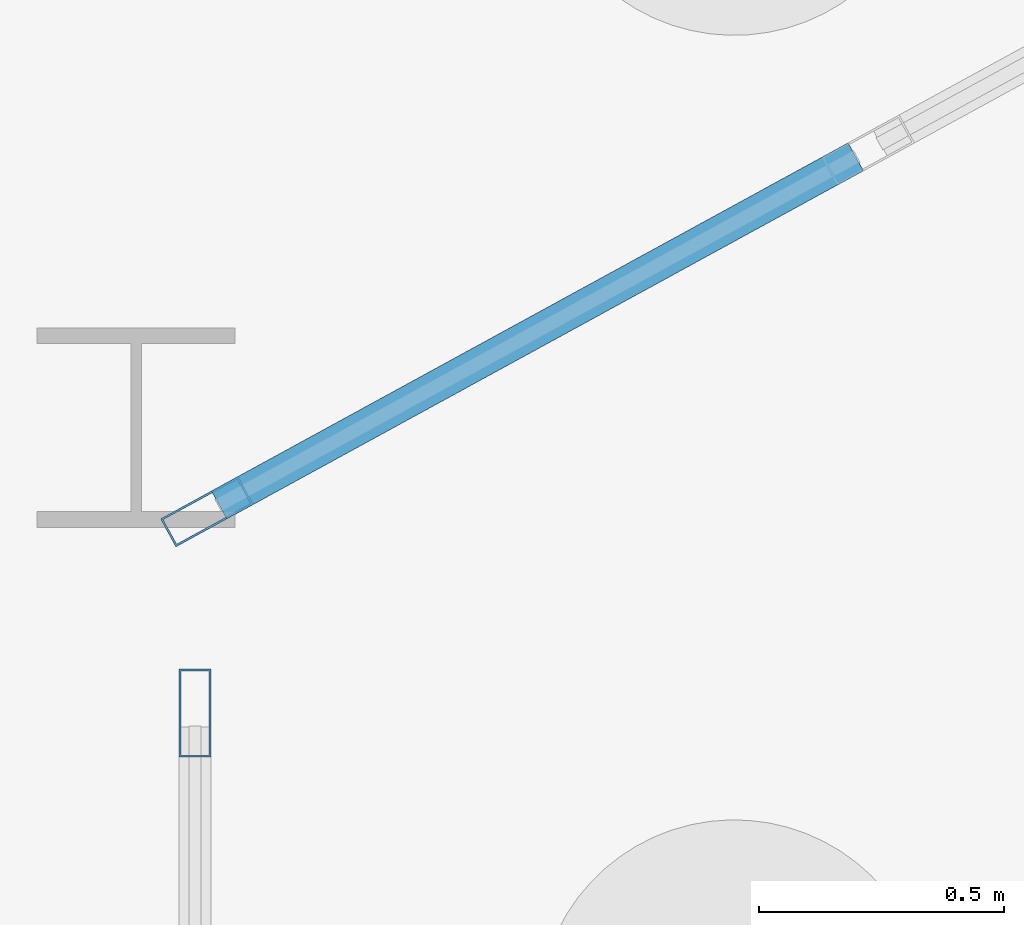
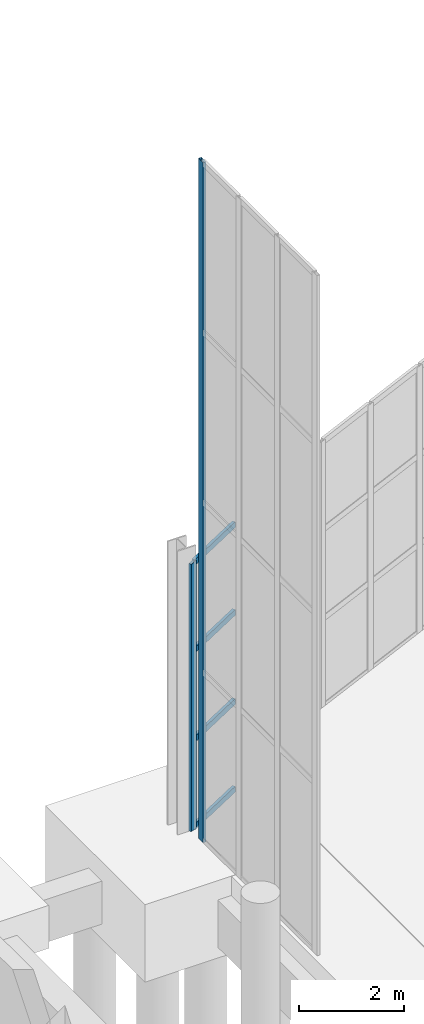
# One storey, part 56 of 115: 6 members, 2 elements without a shape of their own.
"""IFC4 building model written with IfcOpenShell, lengths in metres."""

from ifc_helpers import new_model, si_unit, direction, frame, origin, origin_2d, place, context, subcontext, project, spatial, hollow_rectangle, extrude, material, layer, layer_set, material_profile, profile_set, type_object, element, aggregate, save


model = new_model("IFC4")

# Units and contexts
model_context = context("Model", 3, precision=1e-05, world=origin(), true_north=direction((0.0, 1.0)))
body_context = subcontext(model_context, "Body", "Model", "MODEL_VIEW")
ifc_project = project(units=[si_unit("LENGTHUNIT", "METRE"), si_unit("AREAUNIT", "SQUARE_METRE"), si_unit("VOLUMEUNIT", "CUBIC_METRE"), si_unit("PLANEANGLEUNIT", "RADIAN"), si_unit("MASSUNIT", "GRAM", prefix="KILO")], contexts=[model_context])

# Site, building, storey
site_placement = place(None, origin())
site = spatial("IfcSite", under=ifc_project, at=site_placement, CompositionType="ELEMENT")
building_placement = place(site_placement, origin())
building = spatial("IfcBuilding", under=site, at=building_placement, Name="Tamarisk Ironworks Central Station", CompositionType="ELEMENT")
storey_placement = place(building_placement, origin())
storey = spatial("IfcBuildingStorey", under=building, at=storey_placement, Name="L00", CompositionType="ELEMENT", Elevation=0.0)

# Curtain wall, member
ifc_material = material(Name="Anodized aluminium alloy 6063-T6", Category="aluminium")
ifc_layer_1 = layer(ifc_material, 0.179931640625)
ifc_layer_set_1 = layer_set([ifc_layer_1], Name="Anodized aluminium alloy 6063-T6")
curtain_wall_type_1 = type_object("IfcCurtainWallType", Name="CW-01", PredefinedType="USERDEFINED", material=ifc_layer_set_1)
curtain_wall_1_placement = place(storey_placement, origin())
curtain_wall_1 = element("IfcCurtainWall", 1, at=curtain_wall_1_placement, inside=storey, type_object=curtain_wall_type_1, Name="NN rounded entrance hall L00 curtain wall bay 01", ObjectType="GLAZED CURTAIN WALL", PredefinedType="USERDEFINED")
ifc_material_profile_1 = material_profile(ifc_material, hollow_rectangle(XDim=0.06494140625, YDim=0.179931640625, WallThickness=0.00390625, at=origin_2d()), Name="ALUM 180x65")
ifc_profile_set_1 = profile_set([ifc_material_profile_1], Name="Anodized aluminium alloy 6063-T6")
member_type_1 = type_object("IfcMemberType", Name="CWM-02", PredefinedType="MULLION", material=ifc_profile_set_1)
member_1_placement = place(storey_placement, frame((54.144287109375, 111.428466796875, 0.0), z_axis=(0.0, 0.0, 1.0), x_axis=(-0.47980544644, 0.877374910495, 0.0)))
member_1 = element("IfcMember", 2, at=member_1_placement, type_object=member_type_1, Name="CW01 mullion 1", PredefinedType="MULLION", context=body_context, shape_type="SweptSolid", body=[
    extrude(hollow_rectangle(XDim=0.06494140625, YDim=0.179931640625, WallThickness=0.00390625, at=origin_2d()), origin(), (0.0, 0.0, 1.0), 6.219970703125),
])

ifc_layer_2 = layer(ifc_material, 0.179931640625)
ifc_layer_set_2 = layer_set([ifc_layer_2], Name="Anodized aluminium alloy 6063-T6")
curtain_wall_type_2 = type_object("IfcCurtainWallType", Name="CW-04", PredefinedType="USERDEFINED", material=ifc_layer_set_2)
curtain_wall_2_placement = place(storey_placement, origin())
curtain_wall_2 = element("IfcCurtainWall", 3, at=curtain_wall_2_placement, inside=storey, type_object=curtain_wall_type_2, Name="Concourse W track-overlook curtain wall 09", ObjectType="GLAZED CURTAIN WALL", PredefinedType="USERDEFINED")
member_2_placement = place(storey_placement, frame((54.1201171875, 111.017578125, 0.0), z_axis=(0.0, 0.0, 1.0), x_axis=(-1.0, 0.0, 0.0)))
member_2 = element("IfcMember", 4, at=member_2_placement, type_object=member_type_1, Name="CW04 mullion 4", PredefinedType="MULLION", context=body_context, shape_type="SweptSolid", body=[
    extrude(hollow_rectangle(XDim=0.06494140625, YDim=0.179931640625, WallThickness=0.00390625, at=origin_2d()), origin(), (0.0, 0.0, 1.0), 15.820068359375),
])
aggregate(curtain_wall_2, [member_2])

# Member
ifc_material_profile_2 = material_profile(ifc_material, hollow_rectangle(XDim=0.06494140625, YDim=0.135009765625, WallThickness=0.00341796875, at=origin_2d()), Name="ALUM 135x65")
ifc_profile_set_2 = profile_set([ifc_material_profile_2], Name="Anodized aluminium alloy 6063-T6")
member_type_2 = type_object("IfcMemberType", Name="CWT-02", PredefinedType="USERDEFINED", material=ifc_profile_set_2)
member_3_placement = place(storey_placement, frame((54.169189453125, 111.442138671875, 0.032470703125), z_axis=(0.877397174043, 0.479764732949, 0.0), x_axis=(-0.479764732949, 0.877397174043, 0.0)))
member_3 = element("IfcMember", 5, at=member_3_placement, type_object=member_type_2, Name="CW01 transom 1.1", ObjectType="TRANSOM", PredefinedType="USERDEFINED", context=body_context, shape_type="SweptSolid", body=[
    extrude(hollow_rectangle(XDim=0.06494140625, YDim=0.135009765625, WallThickness=0.00341796875, at=origin_2d()), origin(), (0.0, 0.0, 1.0), 1.480224609375),
])

member_4_placement = place(storey_placement, frame((54.169189453125, 111.442138671875, 2.0732421875), z_axis=(0.877397174043, 0.479764732949, 0.0), x_axis=(-0.479764732949, 0.877397174043, 0.0)))
member_4 = element("IfcMember", 6, at=member_4_placement, type_object=member_type_2, Name="CW01 transom 1.2", ObjectType="TRANSOM", PredefinedType="USERDEFINED", context=body_context, shape_type="SweptSolid", body=[
    extrude(hollow_rectangle(XDim=0.06494140625, YDim=0.135009765625, WallThickness=0.00341796875, at=origin_2d()), origin(), (0.0, 0.0, 1.0), 1.480224609375),
])

member_5_placement = place(storey_placement, frame((54.169189453125, 111.442138671875, 4.146728515625), z_axis=(0.877397174043, 0.479764732949, 0.0), x_axis=(-0.479764732949, 0.877397174043, 0.0)))
member_5 = element("IfcMember", 7, at=member_5_placement, type_object=member_type_2, Name="CW01 transom 1.3", ObjectType="TRANSOM", PredefinedType="USERDEFINED", context=body_context, shape_type="SweptSolid", body=[
    extrude(hollow_rectangle(XDim=0.06494140625, YDim=0.135009765625, WallThickness=0.00341796875, at=origin_2d()), origin(), (0.0, 0.0, 1.0), 1.480224609375),
])

member_6_placement = place(storey_placement, frame((54.169189453125, 111.442138671875, 6.1875), z_axis=(0.877397174043, 0.479764732949, 0.0), x_axis=(-0.479764732949, 0.877397174043, 0.0)))
member_6 = element("IfcMember", 8, at=member_6_placement, type_object=member_type_2, Name="CW01 transom 1.4", ObjectType="TRANSOM", PredefinedType="USERDEFINED", context=body_context, shape_type="SweptSolid", body=[
    extrude(hollow_rectangle(XDim=0.06494140625, YDim=0.135009765625, WallThickness=0.00341796875, at=origin_2d()), origin(), (0.0, 0.0, 1.0), 1.480224609375),
])

aggregate(curtain_wall_1, [member_1, member_3, member_4, member_5, member_6])

save(model, "model.ifc")
